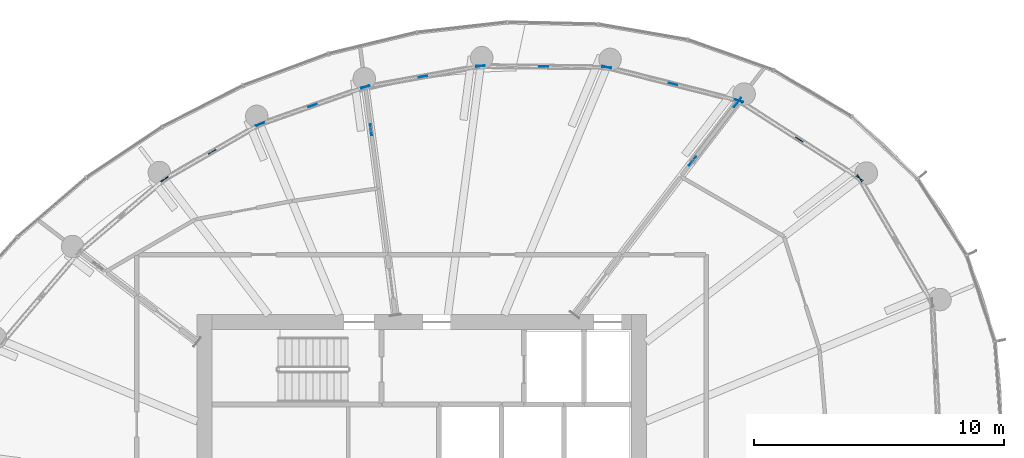
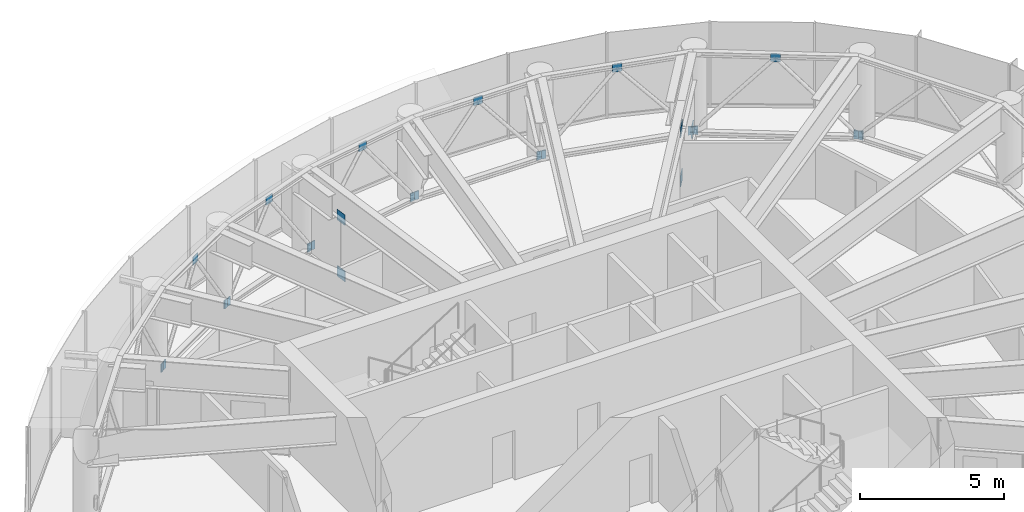
# One storey, part 24 of 26: 25 discrete accessories.
"""IFC4 building model written with IfcOpenShell, lengths in metres."""

from ifc_helpers import new_model, si_unit, direction, frame, origin, origin_2d, place, context, subcontext, project, spatial, rectangle, extrude, source, transform, mapped, material, layer, layer_set, type_object, element, save


model = new_model("IFC4")

# Units and contexts
model_context = context("Model", 3, precision=1e-05, world=origin(), true_north=direction((0.0, 1.0)))
body_context = subcontext(model_context, "Body", "Model", "MODEL_VIEW")
ifc_project = project(units=[si_unit("LENGTHUNIT", "METRE"), si_unit("AREAUNIT", "SQUARE_METRE"), si_unit("VOLUMEUNIT", "CUBIC_METRE"), si_unit("PLANEANGLEUNIT", "RADIAN"), si_unit("MASSUNIT", "GRAM", prefix="KILO")], contexts=[model_context])

# Site, building, storey
site_placement = place(None, origin())
site = spatial("IfcSite", under=ifc_project, at=site_placement, CompositionType="ELEMENT")
building_placement = place(site_placement, origin())
building = spatial("IfcBuilding", under=site, at=building_placement, Name="Spindrift Exchange Tower", CompositionType="ELEMENT")
storey_placement = place(building_placement, frame((0.0, 0.0, 230.60009765625)))
storey = spatial("IfcBuildingStorey", under=building, at=storey_placement, Name="L56", CompositionType="ELEMENT", Elevation=230.60009765625)

# Discrete accessories
ifc_material = material(Name="Steel Grade 350", Category="steel")
ifc_layer_1 = layer(ifc_material, 0.02490234375)
ifc_layer_set_1 = layer_set([ifc_layer_1], Name="Gusset plate 450x450x25 Steel Grade 350")
discrete_accessory_type_1 = type_object("IfcDiscreteAccessoryType", Name="Gusset plate 450x450x25 Steel Grade 350", PredefinedType="USERDEFINED", material=ifc_layer_set_1)
shared_shape_1 = source(origin(), body_context, "Body", "SweptSolid", [
    extrude(rectangle(XDim=0.449951171875, YDim=0.02490234375, at=origin_2d()), origin(), (0.0, 0.0, 1.0), 0.449951171875),
])
for number, where, z_axis, x_axis, name in (
    (1, (62.846923828125, 62.135986328125, 2.15478515625), (0.0, 0.0, 1.0), (0.608766967645, 0.793349090315, 0.0), "L56 gusset plate GP1 04"),
    (2, (64.64697265625, 64.48193359375, 0.0830078125), (0.0, 0.0, 1.0), (0.608766967645, 0.793349090315, 0.0), "L56 gusset plate GP1 04"),
    (3, (62.846923828125, 62.135986328125, 0.0830078125), (0.0, 0.0, 1.0), (0.608761429009, 0.793353340291, 0.0), "L56 gusset plate GP1 04"),
    (4, (49.97314453125, 63.39599609375, -0.22509765625), (0.0, 0.0, 1.0), (-0.13052619222, 0.991444861374, 0.0), "L56 gusset plate GP1 07"),
    (5, (49.97314453125, 63.39599609375, 2.15478515625), (0.0, 0.0, 1.0), (-0.13052619222, 0.991444861374, 0.0), "L56 gusset plate GP1 07"),
):
    element("IfcDiscreteAccessory", number, at=place(storey_placement, frame(where, z_axis=z_axis, x_axis=x_axis)), inside=storey, type_object=discrete_accessory_type_1, Name=name, ObjectType="Gusset plate", PredefinedType="USERDEFINED", context=body_context, shape_type="MappedRepresentation", body=[
        mapped(shared_shape_1, transform((0.0, 0.0, 0.0), scale=1.0)),
    ])
ifc_layer_2 = layer(ifc_material, 0.02001953125)
ifc_layer_set_2 = layer_set([ifc_layer_2], Name="Gusset plate 350x350x20 Steel Grade 350")
discrete_accessory_type_2 = type_object("IfcDiscreteAccessoryType", Name="Gusset plate 350x350x20 Steel Grade 350", PredefinedType="USERDEFINED", material=ifc_layer_set_2)
shared_shape_2 = source(origin(), body_context, "Body", "SweptSolid", [
    extrude(rectangle(XDim=0.35009765625, YDim=0.02001953125, at=origin_2d()), origin(), (0.0, 0.0, 1.0), 0.35009765625),
])
for number, where, z_axis, x_axis, name in (
    (6, (69.532470703125, 61.452880859375, 0.02783203125), (0.0, 0.0, 1.0), (-0.503564395067, 0.863957695735, 0.0), "L56 gusset plate GP2 02"),
    (7, (69.532470703125, 61.452880859375, 0.02783203125), (0.0, 0.0, 1.0), (-0.84157300758, 0.54014338181, 0.0), "L56 gusset plate GP2 03"),
    (8, (67.1171875, 63.003173828125, 3.201904296875), (0.0, 0.0, 1.0), (-0.84157300758, 0.54014338181, 0.0), "L56 gusset plate GP2 03"),
    (9, (64.701904296875, 64.553466796875, 0.02783203125), (0.0, 0.0, 1.0), (-0.84157300758, 0.54014338181, 0.0), "L56 gusset plate GP2 03"),
    (10, (64.701904296875, 64.553466796875, 0.02783203125), (0.0, 0.0, 1.0), (-0.969278149884, 0.245967209517, 0.0), "L56 gusset plate GP2 04"),
    (11, (62.05712890625, 65.224609375, 3.201904296875), (0.0, 0.0, 1.0), (-0.969278149884, 0.245967209517, 0.0), "L56 gusset plate GP2 04"),
    (12, (59.41259765625, 65.8955078125, 0.02783203125), (0.0, 0.0, 1.0), (-0.969278149884, 0.245967209517, 0.0), "L56 gusset plate GP2 04"),
    (13, (59.41259765625, 65.8955078125, 0.02783203125), (0.0, 0.0, 1.0), (-0.999959242574, 0.00902846556, 0.0), "L56 gusset plate GP2 05"),
    (14, (56.88720703125, 65.91845703125, 3.201904296875), (0.0, 0.0, 1.0), (-0.999959242574, 0.00902846556, 0.0), "L56 gusset plate GP2 05"),
    (15, (54.362060546875, 65.941162109375, 0.02783203125), (0.0, 0.0, 1.0), (-0.999959242574, 0.00902846556, 0.0), "L56 gusset plate GP2 05"),
    (16, (54.362060546875, 65.941162109375, 0.02783203125), (0.0, 0.0, 1.0), (-0.983986301984, -0.178244095297, 0.0), "L56 gusset plate GP2 06"),
    (17, (52.054931640625, 65.523193359375, 3.201904296875), (0.0, 0.0, 1.0), (-0.983986301984, -0.178244095297, 0.0), "L56 gusset plate GP2 06"),
    (18, (49.748046875, 65.10546875, 0.02783203125), (0.0, 0.0, 1.0), (-0.983985057581, -0.178250964813, 0.0), "L56 gusset plate GP2 06"),
    (19, (49.748046875, 65.10546875, 0.02783203125), (0.0, 0.0, 1.0), (-0.943000991262, -0.332789919437, 0.0), "L56 gusset plate GP2 07"),
    (20, (47.6396484375, 64.361328125, 3.201904296875), (0.0, 0.0, 1.0), (-0.943000991262, -0.332789919437, 0.0), "L56 gusset plate GP2 07"),
    (21, (45.531005859375, 63.6171875, 0.02783203125), (0.0, 0.0, 1.0), (-0.943014930306, -0.332750418812, 0.0), "L56 gusset plate GP2 07"),
    (22, (45.531005859375, 63.6171875, 0.02783203125), (0.0, 0.0, 1.0), (-0.866362927419, -0.499414935694, 0.0), "L56 gusset plate GP2 08"),
    (23, (43.619384765625, 62.515380859375, 3.201904296875), (0.0, 0.0, 1.0), (-0.866362927419, -0.499414935694, 0.0), "L56 gusset plate GP2 08"),
    (24, (41.707763671875, 61.413330078125, 0.02783203125), (0.0, 0.0, 1.0), (-0.866362927419, -0.499414935694, 0.0), "L56 gusset plate GP2 08"),
    (25, (41.707763671875, 61.413330078125, 0.02783203125), (0.0, 0.0, 1.0), (-0.76167968724, -0.647953743755, 0.0), "L56 gusset plate GP2 09"),
):
    element("IfcDiscreteAccessory", number, at=place(storey_placement, frame(where, z_axis=z_axis, x_axis=x_axis)), inside=storey, type_object=discrete_accessory_type_2, Name=name, ObjectType="Gusset plate", PredefinedType="USERDEFINED", context=body_context, shape_type="MappedRepresentation", body=[
        mapped(shared_shape_2, transform((0.0, 0.0, 0.0), scale=1.0)),
    ])

save(model, "model.ifc")
